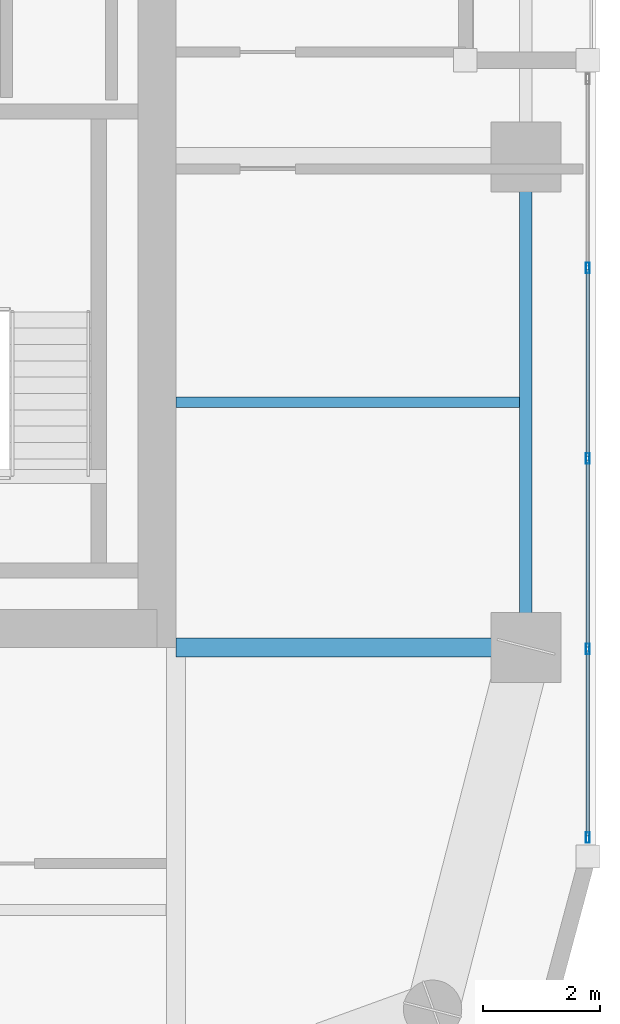
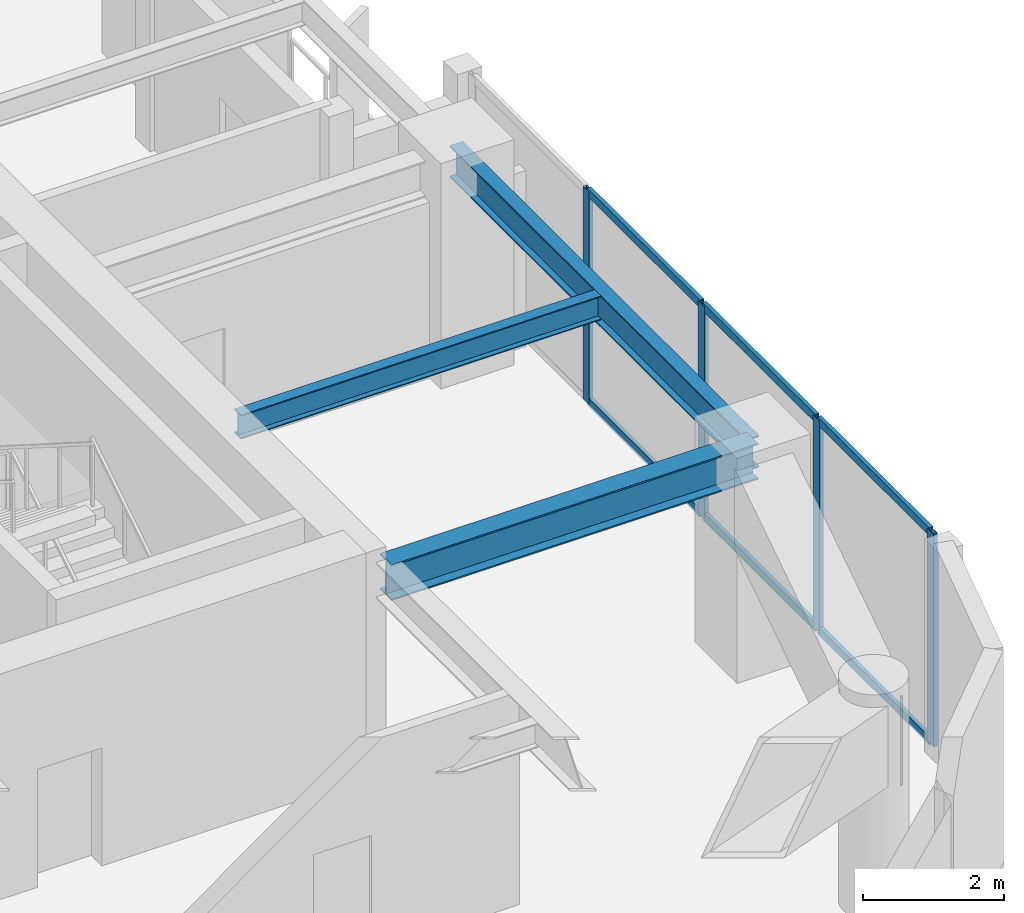
# One storey, part 9 of 30: 10 members, 3 beams, 1 element without a shape of its own.
"""IFC4 building model written with IfcOpenShell, lengths in metres."""

import ifcopenshell
import ifcopenshell.guid

model = None  # the IFC model being written
_history = None  # IfcOwnerHistory: only IFC2X3 demands one
_inside = {}  # id of a spatial element -> (the spatial element, [elements in it])
_under = {}  # id of a project, library or spatial element -> (it, [spatial elements below it])
_declared = {}  # id of a project -> (the project, [libraries it declares])
_typed = {}  # id of a type object -> (the type object, [elements of that type])
_made_of = {}  # id of a material, layer set ... -> (it, [elements and type objects made of it])


def new_model(schema):
    """Start an empty IFC model of exactly this schema.

    Asked for "IFC4X3", IfcOpenShell would pick the latest addendum, in which some entities
    have other attributes; the version numbers below select the first issue.
    IFC2X3 requires an IfcOwnerHistory on every rooted entity: one is made here for all.
    """
    global model, _history
    if schema == "IFC4X3":
        model = ifcopenshell.file(schema_version=(4, 3, 0, 0))
    else:
        model = ifcopenshell.file(schema=schema)
    _inside.clear()
    _under.clear()
    _declared.clear()
    _typed.clear()
    _made_of.clear()
    _history = None
    if model.schema == "IFC2X3":
        org = make("IfcOrganization", Name="unknown")
        user = make(
            "IfcPersonAndOrganization",
            ThePerson=make("IfcPerson", FamilyName="unknown"),
            TheOrganization=org,
        )
        app = make(
            "IfcApplication",
            ApplicationDeveloper=org,
            Version="unknown",
            ApplicationFullName="unknown",
            ApplicationIdentifier="unknown",
        )
        _history = make(
            "IfcOwnerHistory",
            OwningUser=user,
            OwningApplication=app,
            ChangeAction="ADDED",
            CreationDate=0,
        )
    return model


def make(cls, **values):
    """One entity of the class cls with the attributes given. An attribute that is None is left unset."""
    return model.create_entity(
        cls, **{name: value for name, value in values.items() if value is not None}
    )


def rooted(cls, **values):
    """An entity with a GlobalId (a new one), such as an element, a storey or a relation."""
    return make(cls, GlobalId=ifcopenshell.guid.new(), OwnerHistory=_history, **values)


def si_unit(unit_type, name, prefix=None):
    """IfcSIUnit, for example si_unit("LENGTHUNIT", "METRE", prefix="MILLI")."""
    return make("IfcSIUnit", UnitType=unit_type, Prefix=prefix, Name=name)


def assignment(units):
    """IfcUnitAssignment: the units of a project."""
    return None if units is None else make("IfcUnitAssignment", Units=units)


def point(xyz):
    """IfcCartesianPoint."""
    return None if xyz is None else make("IfcCartesianPoint", Coordinates=xyz)


def direction(xyz):
    """IfcDirection."""
    return None if xyz is None else make("IfcDirection", DirectionRatios=xyz)


def frame(location, z_axis=None, x_axis=None):
    """IfcAxis2Placement3D, a coordinate frame: its origin and axes. An axis left out is left unset."""
    return make(
        "IfcAxis2Placement3D",
        Location=point(location),
        Axis=direction(z_axis),
        RefDirection=direction(x_axis),
    )


def frame_2d(location, x_axis=None):
    """IfcAxis2Placement2D, a coordinate frame in the plane: its origin and x axis."""
    return make(
        "IfcAxis2Placement2D", Location=point(location), RefDirection=direction(x_axis)
    )


def origin():
    """The frame at (0, 0, 0) with its axes left unset."""
    return frame((0.0, 0.0, 0.0))


def origin_2d():
    """The frame at (0, 0) in the plane with its x axis left unset."""
    return frame_2d((0.0, 0.0))


def place(relative_to, where):
    """IfcLocalPlacement: puts the frame where relative to a parent placement (None: the world)."""
    return make(
        "IfcLocalPlacement", PlacementRelTo=relative_to, RelativePlacement=where
    )


def context(
    kind, dimensions, precision=None, world=None, true_north=None, identifier=None
):
    """IfcGeometricRepresentationContext, for example the 3D "Model" context."""
    return make(
        "IfcGeometricRepresentationContext",
        ContextIdentifier=identifier,
        ContextType=kind,
        CoordinateSpaceDimension=dimensions,
        Precision=precision,
        WorldCoordinateSystem=world,
        TrueNorth=true_north,
    )


def subcontext(parent, identifier, kind, view, scale=None):
    """IfcGeometricRepresentationSubContext, for example "Body" below "Model"."""
    return make(
        "IfcGeometricRepresentationSubContext",
        ContextIdentifier=identifier,
        ContextType=kind,
        ParentContext=parent,
        TargetScale=scale,
        TargetView=view,
    )


def project(units=None, contexts=None):
    """IfcProject with its units and contexts."""
    return rooted(
        "IfcProject",
        Name="project",
        RepresentationContexts=contexts,
        UnitsInContext=assignment(units),
    )


def spatial(cls, under=None, at=None, **own):
    """A site, building, storey or space (cls), placed at a placement, below another one or the project."""
    s = rooted(cls, ObjectPlacement=at, **own)
    if under is not None:
        _under.setdefault(under.id(), (under, []))[1].append(s)
    return s


def profile(cls, at=None, kind="AREA", **sizes):
    """A parametric profile (cls). Its sizes go by their IFC names, for example OverallWidth=200.0."""
    return make(cls, ProfileType=kind, Position=at, **sizes)


def hollow_rectangle(**sizes):
    """IfcRectangleHollowProfileDef."""
    return profile("IfcRectangleHollowProfileDef", **sizes)


def i_section(**sizes):
    """IfcIShapeProfileDef."""
    return profile("IfcIShapeProfileDef", **sizes)


def extrude(swept, where, along, depth):
    """IfcExtrudedAreaSolid: the profile swept, set in the frame where, extruded along a direction by depth."""
    return make(
        "IfcExtrudedAreaSolid",
        SweptArea=swept,
        Position=where,
        ExtrudedDirection=direction(along),
        Depth=depth,
    )


def shape(context_of_items, identifier, shape_type, items):
    """IfcShapeRepresentation: the items that make up one representation, for example the "Body"."""
    return make(
        "IfcShapeRepresentation",
        ContextOfItems=context_of_items,
        RepresentationIdentifier=identifier,
        RepresentationType=shape_type,
        Items=items,
    )


def material(Name=None, Category=None):
    """IfcMaterial."""
    return make("IfcMaterial", Name=Name, Category=Category)


def layer(
    of_material, thickness, ventilated=None, Name=None, Category=None, Priority=None
):
    """IfcMaterialLayer: one layer of a wall or slab, of a material (None: an air gap)."""
    return make(
        "IfcMaterialLayer",
        Material=of_material,
        LayerThickness=thickness,
        IsVentilated=ventilated,
        Name=Name,
        Category=Category,
        Priority=Priority,
    )


def layer_set(layers, Name=None):
    """IfcMaterialLayerSet."""
    return make("IfcMaterialLayerSet", MaterialLayers=layers, LayerSetName=Name)


def material_profile(
    of_material, cross_section, Name=None, Category=None, Priority=None
):
    """IfcMaterialProfile: a cross section and its material."""
    return make(
        "IfcMaterialProfile",
        Name=Name,
        Material=of_material,
        Profile=cross_section,
        Priority=Priority,
        Category=Category,
    )


def profile_set(profiles, Name=None, composite=None):
    """IfcMaterialProfileSet."""
    return make(
        "IfcMaterialProfileSet",
        Name=Name,
        MaterialProfiles=profiles,
        CompositeProfile=composite,
    )


def made_of(thing, what):
    """Note that an element or type object is made of a material, layer set ...; save() writes the relation."""
    if what is not None:
        _made_of.setdefault(what.id(), (what, []))[1].append(thing)
    return thing


def type_object(cls, material=None, **own):
    """A type object (cls), such as IfcWallType, which elements share."""
    return made_of(rooted(cls, **own), material)


def element(
    cls,
    number,
    at=None,
    inside=None,
    cuts=None,
    type_object=None,
    material=None,
    context=None,
    identifier="Body",
    shape_type=None,
    held_by="IfcProductDefinitionShape",
    body=None,
    shapes=None,
    **own,
):
    """One element of the class cls, such as IfcWall. Its Tag is "e" and its number.

    at: its placement. inside: the storey or other place that contains it. cuts: it is an
    opening in that element (IfcRelVoidsElement). A single representation is given by context,
    identifier, shape_type and body (its items); several are given by shapes. held_by: the class
    of the entity that holds the representations. save() writes the other relations.
    """
    e = rooted(cls, Tag="e%d" % number, ObjectPlacement=at, **own)
    if body is not None:
        shapes = [shape(context, identifier, shape_type, body)]
    if shapes is not None:
        e.Representation = make(held_by, Representations=shapes)
    if inside is not None:
        _inside.setdefault(inside.id(), (inside, []))[1].append(e)
    if cuts is not None:
        rooted(
            "IfcRelVoidsElement", RelatingBuildingElement=cuts, RelatedOpeningElement=e
        )
    if type_object is not None:
        _typed.setdefault(type_object.id(), (type_object, []))[1].append(e)
    return made_of(e, material)


def aggregate(whole, parts):
    """IfcRelAggregates: a whole, such as a stair, and the parts it consists of."""
    return rooted("IfcRelAggregates", RelatingObject=whole, RelatedObjects=parts)


def save(model, path):
    """Write the relations noted so far, then the file.

    IfcRelAggregates (storeys below a building ...), IfcRelContainedInSpatialStructure (elements
    in a storey), IfcRelDefinesByType, IfcRelAssociatesMaterial and IfcRelDeclares: one each for
    every whole, place, type object, material and project.
    """
    for whole, parts in _under.values():
        aggregate(whole, parts)
    for where, things in _inside.values():
        rooted(
            "IfcRelContainedInSpatialStructure",
            RelatedElements=things,
            RelatingStructure=where,
        )
    for kind, things in _typed.values():
        rooted("IfcRelDefinesByType", RelatedObjects=things, RelatingType=kind)
    for what, things in _made_of.values():
        rooted("IfcRelAssociatesMaterial", RelatedObjects=things, RelatingMaterial=what)
    for by, libraries in _declared.values():
        rooted("IfcRelDeclares", RelatingContext=by, RelatedDefinitions=libraries)
    model.write(path)


model = new_model("IFC4")

# Units and contexts
model_context = context("Model", 3, precision=1e-05, world=origin(), true_north=direction((0.0, 1.0)))
body_context = subcontext(model_context, "Body", "Model", "MODEL_VIEW")
ifc_project = project(units=[si_unit("LENGTHUNIT", "METRE"), si_unit("AREAUNIT", "SQUARE_METRE"), si_unit("VOLUMEUNIT", "CUBIC_METRE"), si_unit("PLANEANGLEUNIT", "RADIAN"), si_unit("MASSUNIT", "GRAM", prefix="KILO")], contexts=[model_context])

# Site, building, storey
site_placement = place(None, origin())
site = spatial("IfcSite", under=ifc_project, at=site_placement, CompositionType="ELEMENT")
building_placement = place(site_placement, origin())
building = spatial("IfcBuilding", under=site, at=building_placement, Name="Kiyonajd Concourse Tower", CompositionType="ELEMENT")
storey_placement = place(building_placement, frame((0.0, 0.0, 201.89990234375)))
storey = spatial("IfcBuildingStorey", under=building, at=storey_placement, Name="L51", CompositionType="ELEMENT", Elevation=201.89990234375)

# Beams
ifc_material_1 = material(Name="Steel ASTM A992 Grade 50", Category="steel")
ifc_material_profile_1 = material_profile(ifc_material_1, i_section(OverallWidth=0.180908203125, OverallDepth=0.4169921875, WebThickness=0.010986328125, FlangeThickness=0.018310546875, at=origin_2d()), Name="W410X85")
ifc_profile_set_1 = profile_set([ifc_material_profile_1], Name="Steel ASTM A992 Grade 50")
beam_type_1 = type_object("IfcBeamType", Name="BM-JST-410", PredefinedType="JOIST", material=ifc_profile_set_1)
beam_1_placement = place(storey_placement, frame((63.60009765625, 31.800048828125, 3.4716796875), z_axis=(1.0, 0.0, 0.0), x_axis=(0.0, 1.0, 0.0)))
element("IfcBeam", 1, at=beam_1_placement, inside=storey, type_object=beam_type_1, Name="L51 East Secondary Floor Joist", PredefinedType="JOIST", context=body_context, shape_type="SweptSolid", body=[
    extrude(i_section(OverallWidth=0.180908203125, OverallDepth=0.4169921875, WebThickness=0.010986328125, FlangeThickness=0.018310546875, at=origin_2d()), origin(), (0.0, 0.0, 1.0), 5.892822265625),
])
ifc_material_profile_2 = material_profile(ifc_material_1, i_section(OverallWidth=0.214111328125, OverallDepth=0.549072265625, WebThickness=0.0146484375, FlangeThickness=0.023681640625, at=origin_2d()), Name="W530X138")
ifc_profile_set_2 = profile_set([ifc_material_profile_2], Name="Steel ASTM A992 Grade 50")
beam_type_2 = type_object("IfcBeamType", Name="BM-SPAN-530A", PredefinedType="SPANDREL", material=ifc_profile_set_2)
beam_2_placement = place(storey_placement, frame((69.60009765625, 27.60009765625, 3.405517578125), z_axis=(0.0, 1.0, 0.0), x_axis=(-1.0, 0.0, 0.0)))
element("IfcBeam", 2, at=beam_2_placement, inside=storey, type_object=beam_type_2, Name="L51 Perimeter Bundled Tube Spandrel", PredefinedType="SPANDREL", context=body_context, shape_type="SweptSolid", body=[
    extrude(i_section(OverallWidth=0.214111328125, OverallDepth=0.549072265625, WebThickness=0.0146484375, FlangeThickness=0.023681640625, at=origin_2d()), origin(), (0.0, 0.0, 1.0), 8.39990234375),
])
ifc_material_profile_3 = material_profile(ifc_material_1, i_section(OverallWidth=0.326904296875, OverallDepth=0.6220703125, WebThickness=0.015380859375, FlangeThickness=0.0244140625, at=origin_2d()), Name="W610X195")
ifc_profile_set_3 = profile_set([ifc_material_profile_3], Name="Steel ASTM A992 Grade 50")
beam_type_3 = type_object("IfcBeamType", Name="BM-TWR-610A", PredefinedType="BEAM", material=ifc_profile_set_3)
beam_3_placement = place(storey_placement, frame((63.60009765625, 27.60009765625, 3.369140625), z_axis=(1.0, 0.0, 0.0), x_axis=(0.0, 1.0, 0.0)))
element("IfcBeam", 3, at=beam_3_placement, inside=storey, type_object=beam_type_3, Name="L51 East Lease Girder", PredefinedType="BEAM", context=body_context, shape_type="SweptSolid", body=[
    extrude(i_section(OverallWidth=0.326904296875, OverallDepth=0.6220703125, WebThickness=0.015380859375, FlangeThickness=0.0244140625, at=origin_2d()), origin(), (0.0, 0.0, 1.0), 6.0),
])

# Curtain wall, members
ifc_material_2 = material(Name="Thermally Broken Anodised Aluminium", Category="aluminium")
ifc_layer = layer(ifc_material_2, 0.179931640625)
ifc_layer_set = layer_set([ifc_layer], Name="Thermally Broken Anodised Aluminium")
curtain_wall_type = type_object("IfcCurtainWallType", Name="CW-SYS-03", PredefinedType="NOTDEFINED", material=ifc_layer_set)
curtain_wall_placement = place(storey_placement, origin())
curtain_wall = element("IfcCurtainWall", 4, at=curtain_wall_placement, inside=storey, type_object=curtain_wall_type, Name="L51 Unitised Curtain Wall CW3", PredefinedType="NOTDEFINED")
ifc_material_profile_4 = material_profile(ifc_material_2, hollow_rectangle(XDim=0.06494140625, YDim=0.179931640625, WallThickness=0.00390625, at=origin_2d()), Name="MULL-65x180")
ifc_profile_set_4 = profile_set([ifc_material_profile_4], Name="Thermally Broken Anodised Aluminium")
member_type_1 = type_object("IfcMemberType", Name="MB-CW-MULL1", PredefinedType="MULLION", material=ifc_profile_set_4)
member_1_placement = place(storey_placement, frame((70.659912109375, 34.1044921875, 0.0), z_axis=(0.0, 0.0, 1.0), x_axis=(1.0, 0.0, 0.0)))
member_1 = element("IfcMember", 5, at=member_1_placement, type_object=member_type_1, Name="CW3 mullion 2", PredefinedType="MULLION", context=body_context, shape_type="SweptSolid", body=[
    extrude(hollow_rectangle(XDim=0.06494140625, YDim=0.179931640625, WallThickness=0.00390625, at=origin_2d()), origin(), (0.0, 0.0, 1.0), 3.68017578125),
])
member_2_placement = place(storey_placement, frame((70.659912109375, 30.839111328125, 0.0), z_axis=(0.0, 0.0, 1.0), x_axis=(1.0, 0.0, 0.0)))
member_2 = element("IfcMember", 6, at=member_2_placement, type_object=member_type_1, Name="CW3 mullion 3", PredefinedType="MULLION", context=body_context, shape_type="SweptSolid", body=[
    extrude(hollow_rectangle(XDim=0.06494140625, YDim=0.179931640625, WallThickness=0.00390625, at=origin_2d()), origin(), (0.0, 0.0, 1.0), 3.68017578125),
])
member_3_placement = place(storey_placement, frame((70.659912109375, 27.57373046875, 0.0), z_axis=(0.0, 0.0, 1.0), x_axis=(1.0, 0.0, 0.0)))
member_3 = element("IfcMember", 7, at=member_3_placement, type_object=member_type_1, Name="CW3 mullion 4", PredefinedType="MULLION", context=body_context, shape_type="SweptSolid", body=[
    extrude(hollow_rectangle(XDim=0.06494140625, YDim=0.179931640625, WallThickness=0.00390625, at=origin_2d()), origin(), (0.0, 0.0, 1.0), 3.68017578125),
])
member_4_placement = place(storey_placement, frame((70.659912109375, 24.3408203125, 0.0), z_axis=(0.0, 0.0, 1.0), x_axis=(1.0, 0.0, 0.0)))
member_4 = element("IfcMember", 8, at=member_4_placement, type_object=member_type_1, Name="CW3 mullion 5", PredefinedType="MULLION", context=body_context, shape_type="SweptSolid", body=[
    extrude(hollow_rectangle(XDim=0.06494140625, YDim=0.179931640625, WallThickness=0.00390625, at=origin_2d()), origin(), (0.0, 0.0, 1.0), 3.68017578125),
])
ifc_material_profile_5 = material_profile(ifc_material_2, hollow_rectangle(XDim=0.06494140625, YDim=0.139892578125, WallThickness=0.00390625, at=origin_2d()), Name="TRAN-65x140")
ifc_profile_set_5 = profile_set([ifc_material_profile_5], Name="Thermally Broken Anodised Aluminium")
member_type_2 = type_object("IfcMemberType", Name="MB-CW-TRAN1", PredefinedType="USERDEFINED", material=ifc_profile_set_5)
member_5_placement = place(storey_placement, frame((70.659912109375, 34.072021484375, 0.03271484375), z_axis=(0.0, -1.0, 0.0), x_axis=(1.0, 0.0, 0.0)))
member_5 = element("IfcMember", 9, at=member_5_placement, type_object=member_type_2, Name="CW3 transom 2.1", ObjectType="TRANSOM", PredefinedType="USERDEFINED", context=body_context, shape_type="SweptSolid", body=[
    extrude(hollow_rectangle(XDim=0.06494140625, YDim=0.139892578125, WallThickness=0.00390625, at=origin_2d()), origin(), (0.0, 0.0, 1.0), 3.200439453125),
])
member_6_placement = place(storey_placement, frame((70.659912109375, 34.072021484375, 3.647705078125), z_axis=(0.0, -1.0, 0.0), x_axis=(1.0, 0.0, 0.0)))
member_6 = element("IfcMember", 10, at=member_6_placement, type_object=member_type_2, Name="CW3 transom 2.2", ObjectType="TRANSOM", PredefinedType="USERDEFINED", context=body_context, shape_type="SweptSolid", body=[
    extrude(hollow_rectangle(XDim=0.06494140625, YDim=0.139892578125, WallThickness=0.00390625, at=origin_2d()), origin(), (0.0, 0.0, 1.0), 3.200439453125),
])
member_7_placement = place(storey_placement, frame((70.659912109375, 30.806640625, 0.03271484375), z_axis=(0.0, -1.0, 0.0), x_axis=(1.0, 0.0, 0.0)))
member_7 = element("IfcMember", 11, at=member_7_placement, type_object=member_type_2, Name="CW3 transom 3.1", ObjectType="TRANSOM", PredefinedType="USERDEFINED", context=body_context, shape_type="SweptSolid", body=[
    extrude(hollow_rectangle(XDim=0.06494140625, YDim=0.139892578125, WallThickness=0.00390625, at=origin_2d()), origin(), (0.0, 0.0, 1.0), 3.200439453125),
])
member_8_placement = place(storey_placement, frame((70.659912109375, 30.806640625, 3.647705078125), z_axis=(0.0, -1.0, 0.0), x_axis=(1.0, 0.0, 0.0)))
member_8 = element("IfcMember", 12, at=member_8_placement, type_object=member_type_2, Name="CW3 transom 3.2", ObjectType="TRANSOM", PredefinedType="USERDEFINED", context=body_context, shape_type="SweptSolid", body=[
    extrude(hollow_rectangle(XDim=0.06494140625, YDim=0.139892578125, WallThickness=0.00390625, at=origin_2d()), origin(), (0.0, 0.0, 1.0), 3.200439453125),
])
member_9_placement = place(storey_placement, frame((70.659912109375, 27.541259765625, 0.03271484375), z_axis=(0.0, -1.0, 0.0), x_axis=(1.0, 0.0, 0.0)))
member_9 = element("IfcMember", 13, at=member_9_placement, type_object=member_type_2, Name="CW3 transom 4.1", ObjectType="TRANSOM", PredefinedType="USERDEFINED", context=body_context, shape_type="SweptSolid", body=[
    extrude(hollow_rectangle(XDim=0.06494140625, YDim=0.139892578125, WallThickness=0.00390625, at=origin_2d()), origin(), (0.0, 0.0, 1.0), 3.16796875),
])
member_10_placement = place(storey_placement, frame((70.659912109375, 27.541259765625, 3.647705078125), z_axis=(0.0, -1.0, 0.0), x_axis=(1.0, 0.0, 0.0)))
member_10 = element("IfcMember", 14, at=member_10_placement, type_object=member_type_2, Name="CW3 transom 4.2", ObjectType="TRANSOM", PredefinedType="USERDEFINED", context=body_context, shape_type="SweptSolid", body=[
    extrude(hollow_rectangle(XDim=0.06494140625, YDim=0.139892578125, WallThickness=0.00390625, at=origin_2d()), origin(), (0.0, 0.0, 1.0), 3.16796875),
])
aggregate(curtain_wall, [member_1, member_2, member_3, member_4, member_5, member_6, member_7, member_8, member_9, member_10])

save(model, "model.ifc")
